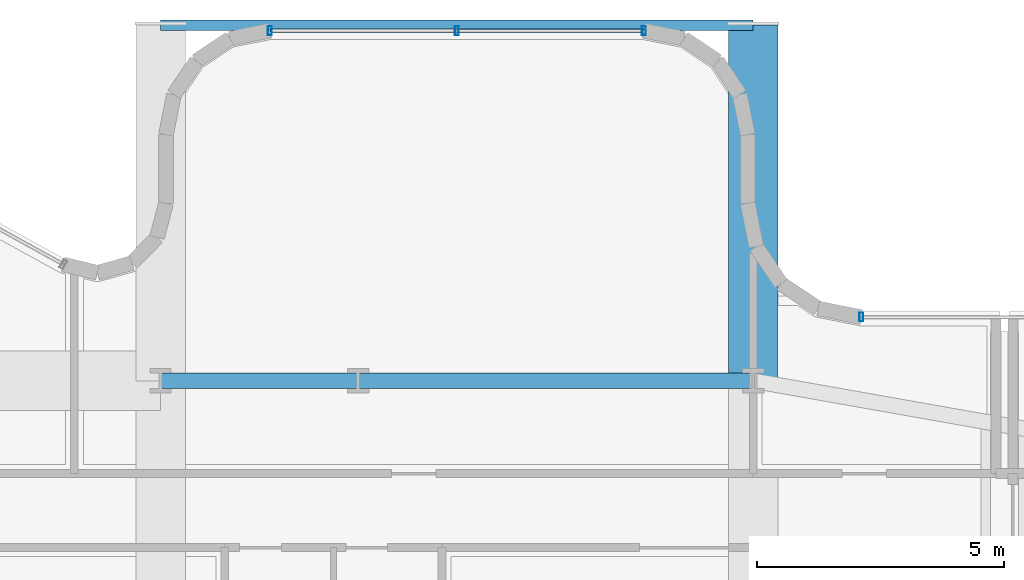
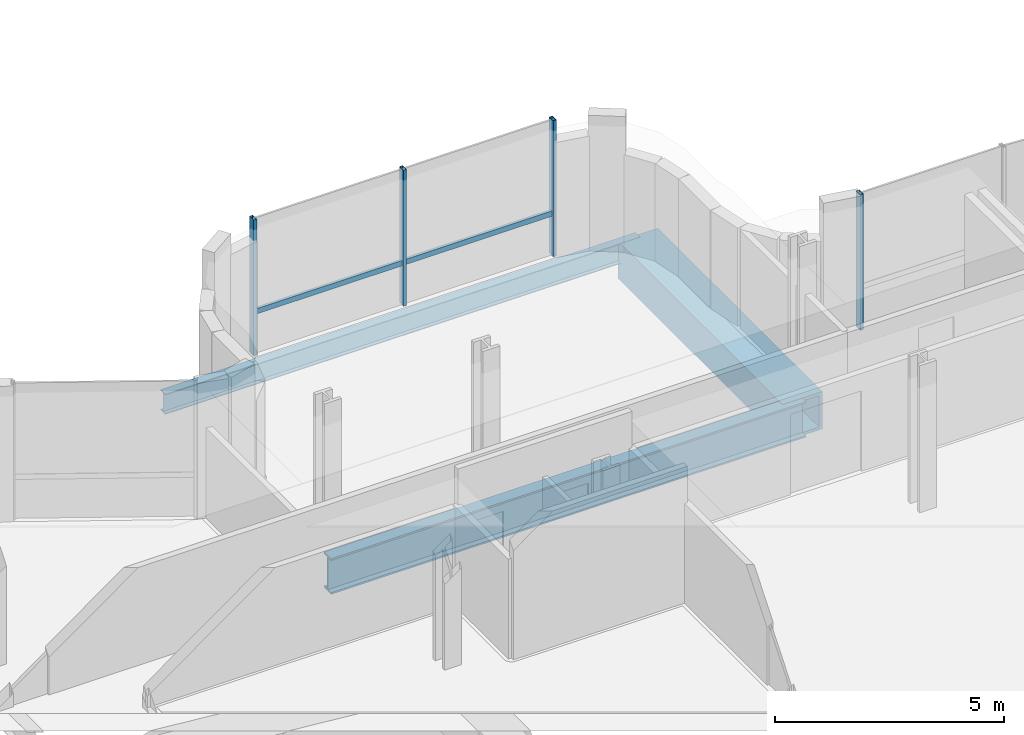
# One storey, part 22 of 37: 5 members, 3 beams, 2 elements without a shape of their own.
"""IFC4 building model written with IfcOpenShell, lengths in metres."""

from ifc_helpers import new_model, si_unit, direction, frame, origin, origin_2d, place, context, subcontext, project, spatial, hollow_rectangle, i_section, extrude, source, transform, mapped, material, material_profile, profile_set, type_object, element, aggregate, save


model = new_model("IFC4")

# Units and contexts
model_context = context("Model", 3, precision=1e-05, world=origin(), true_north=direction((0.0, 1.0)))
body_context = subcontext(model_context, "Body", "Model", "MODEL_VIEW")
ifc_project = project(units=[si_unit("LENGTHUNIT", "METRE"), si_unit("AREAUNIT", "SQUARE_METRE"), si_unit("VOLUMEUNIT", "CUBIC_METRE"), si_unit("PLANEANGLEUNIT", "RADIAN"), si_unit("MASSUNIT", "GRAM", prefix="KILO")], contexts=[model_context])

# Site, building, storey
site_placement = place(None, origin())
site = spatial("IfcSite", under=ifc_project, at=site_placement, CompositionType="ELEMENT")
building_placement = place(site_placement, origin())
building = spatial("IfcBuilding", under=site, at=building_placement, Name="Valdorenza Pilgrim Sanctuary Tower", CompositionType="ELEMENT")
storey_placement = place(building_placement, frame((0.0, 0.0, 188.39990234375)))
storey = spatial("IfcBuildingStorey", under=building, at=storey_placement, Name="L48", CompositionType="ELEMENT", Elevation=188.39990234375)

# Beams
ifc_material_1 = material(Name="Steel ASTM A572 Grade 42", Category="steel")
ifc_material_profile_1 = material_profile(ifc_material_1, hollow_rectangle(XDim=1.0, YDim=1.0, WallThickness=0.080078125, at=origin_2d()), Name="BOX 1000x1000x80")
ifc_profile_set_1 = profile_set([ifc_material_profile_1], Name="Steel ASTM A572 Grade 42")
beam_type_1 = type_object("IfcBeamType", Name="STR-BM-PROW-CANT", PredefinedType="BEAM", material=ifc_profile_set_1)
shared_shape_1 = source(origin(), body_context, "Body", "SweptSolid", [
    extrude(hollow_rectangle(XDim=1.0, YDim=1.0, WallThickness=0.080078125, at=origin_2d()), origin(), (0.0, 0.0, 1.0), 7.199951171875),
])
beam_1_placement = place(storey_placement, frame((8.5, 14.800048828125, -0.81982421875), z_axis=(0.0, 1.0, 0.0), x_axis=(-1.0, 0.0, 0.0)))
element("IfcBeam", 1, at=beam_1_placement, inside=storey, type_object=beam_type_1, Name="L48 North Sanctuary Prow Cantilever PROW-CANT-N-E", PredefinedType="BEAM", context=body_context, shape_type="MappedRepresentation", body=[
    mapped(shared_shape_1, transform((0.0, 0.0, 0.0), x_axis=(1.0, 0.0, 0.0), y_axis=(0.0, 1.0, 0.0), z_axis=(0.0, 0.0, 1.0), scale=1.0)),
])
ifc_material_2 = material(Name="Steel ASTM A992 Grade 50", Category="steel")
ifc_material_profile_2 = material_profile(ifc_material_2, i_section(OverallWidth=0.2109375, OverallDepth=0.5390625, WebThickness=0.01171875, FlangeThickness=0.018798828125, at=origin_2d()), Name="W21X73")
ifc_profile_set_2 = profile_set([ifc_material_profile_2], Name="Steel ASTM A992 Grade 50")
beam_type_2 = type_object("IfcBeamType", Name="STR-BM-SPN-W21B", PredefinedType="SPANDREL", material=ifc_profile_set_2)
shared_shape_2 = source(origin(), body_context, "Body", "SweptSolid", [
    extrude(i_section(OverallWidth=0.2109375, OverallDepth=0.5390625, WebThickness=0.01171875, FlangeThickness=0.018798828125, at=origin_2d()), origin(), (0.0, 0.0, 1.0), 12.0),
])
beam_2_placement = place(storey_placement, frame((-3.5, 22.0, -0.58935546875), z_axis=(1.0, 0.0, 0.0), x_axis=(0.0, 1.0, 0.0)))
element("IfcBeam", 2, at=beam_2_placement, inside=storey, type_object=beam_type_2, Name="L48 North Prow Tip Spandrel PROW-TIP-N", PredefinedType="SPANDREL", context=body_context, shape_type="MappedRepresentation", body=[
    mapped(shared_shape_2, transform((0.0, 0.0, 0.0), x_axis=(1.0, 0.0, 0.0), y_axis=(0.0, 1.0, 0.0), z_axis=(0.0, 0.0, 1.0), scale=1.0)),
])
ifc_material_profile_3 = material_profile(ifc_material_2, i_section(OverallWidth=0.31005859375, OverallDepth=0.949951171875, WebThickness=0.0244140625, FlangeThickness=0.0439453125, at=origin_2d()), Name="W36X256")
ifc_profile_set_3 = profile_set([ifc_material_profile_3], Name="Steel ASTM A992 Grade 50")
beam_type_3 = type_object("IfcBeamType", Name="STR-BM-GRD-W36B", PredefinedType="BEAM", material=ifc_profile_set_3)
shared_shape_3 = source(origin(), body_context, "Body", "SweptSolid", [
    extrude(i_section(OverallWidth=0.31005859375, OverallDepth=0.949951171875, WebThickness=0.0244140625, FlangeThickness=0.0439453125, at=origin_2d()), origin(), (0.0, 0.0, 1.0), 12.0),
])
beam_3_placement = place(storey_placement, frame((-3.5, 14.800048828125, -0.794921875), z_axis=(1.0, 0.0, 0.0), x_axis=(0.0, 1.0, 0.0)))
element("IfcBeam", 3, at=beam_3_placement, inside=storey, type_object=beam_type_3, Name="L48 Portal Bridge Span Girder PRY-G2-P14", PredefinedType="BEAM", context=body_context, shape_type="MappedRepresentation", body=[
    mapped(shared_shape_3, transform((0.0, 0.0, 0.0), x_axis=(1.0, 0.0, 0.0), y_axis=(0.0, 1.0, 0.0), z_axis=(0.0, 0.0, 1.0), scale=1.0)),
])

# Curtain wall, members
ifc_material_3 = material(Name="Curtain-wall IGU glazing", Category="glass")
curtain_wall_type = type_object("IfcCurtainWallType", Name="CW-SYS-05", PredefinedType="NOTDEFINED", material=ifc_material_3)
curtain_wall_1_placement = place(storey_placement, origin())
curtain_wall_1 = element("IfcCurtainWall", 4, at=curtain_wall_1_placement, inside=storey, type_object=curtain_wall_type, Name="L48 Curtain Wall CW-L48-1-21", PredefinedType="NOTDEFINED")
ifc_material_4 = material(Name="Anodised aluminium AW-6060", Category="aluminium")
ifc_material_profile_4 = material_profile(ifc_material_4, hollow_rectangle(XDim=0.070068359375, YDim=0.139892578125, WallThickness=0.00341796875, at=origin_2d()), Name="ALU-T 140x70x3.5")
ifc_profile_set_4 = profile_set([ifc_material_profile_4], Name="Anodised aluminium AW-6060")
member_type_1 = type_object("IfcMemberType", Name="CW-TRN-05", PredefinedType="USERDEFINED", material=ifc_profile_set_4)
shared_shape_4 = source(origin(), body_context, "Body", "SweptSolid", [
    extrude(hollow_rectangle(XDim=0.070068359375, YDim=0.139892578125, WallThickness=0.00341796875, at=origin_2d()), origin(), (0.0, 0.0, 1.0), 7.5703125),
])
member_1_placement = place(storey_placement, frame((-1.28515625, 21.889892578125, 1.1201171875), z_axis=(1.0, 0.0, 0.0), x_axis=(0.0, 1.0, 0.0)))
member_1 = element("IfcMember", 5, at=member_1_placement, type_object=member_type_1, Name="CW-L48-1-21 Transom 1", ObjectType="TRANSOM", PredefinedType="USERDEFINED", context=body_context, shape_type="MappedRepresentation", body=[
    mapped(shared_shape_4, transform((0.0, 0.0, 0.0), x_axis=(1.0, 0.0, 0.0), y_axis=(0.0, 1.0, 0.0), z_axis=(0.0, 0.0, 1.0), scale=1.0)),
])
ifc_material_profile_5 = material_profile(ifc_material_4, hollow_rectangle(XDim=0.080078125, YDim=0.179931640625, WallThickness=0.00439453125, at=origin_2d()), Name="ALU-M 180x80x4.5")
ifc_profile_set_5 = profile_set([ifc_material_profile_5], Name="Anodised aluminium AW-6060")
member_type_2 = type_object("IfcMemberType", Name="CW-MUL-05", PredefinedType="MULLION", material=ifc_profile_set_5)
shared_shape_5 = source(origin(), body_context, "Body", "SweptSolid", [
    extrude(hollow_rectangle(XDim=0.080078125, YDim=0.179931640625, WallThickness=0.00439453125, at=origin_2d()), origin(), (0.0, 0.0, 1.0), 3.630126953125),
])
member_2_placement = place(storey_placement, frame((-1.28515625, 21.889892578125, 0.0), z_axis=(0.0, 0.0, 1.0), x_axis=(1.0, 0.0, 0.0)))
member_2 = element("IfcMember", 6, at=member_2_placement, type_object=member_type_2, Name="CW-L48-1-21 Mullion 1", PredefinedType="MULLION", context=body_context, shape_type="MappedRepresentation", body=[
    mapped(shared_shape_5, transform((0.0, 0.0, 0.0), x_axis=(1.0, 0.0, 0.0), y_axis=(0.0, 1.0, 0.0), z_axis=(0.0, 0.0, 1.0), scale=1.0)),
])
member_3_placement = place(storey_placement, frame((2.5, 21.889892578125, 0.0), z_axis=(0.0, 0.0, 1.0), x_axis=(1.0, 0.0, 0.0)))
member_3 = element("IfcMember", 7, at=member_3_placement, type_object=member_type_2, Name="CW-L48-1-21 Mullion 2", PredefinedType="MULLION", context=body_context, shape_type="MappedRepresentation", body=[
    mapped(shared_shape_5, transform((0.0, 0.0, 0.0), x_axis=(1.0, 0.0, 0.0), y_axis=(0.0, 1.0, 0.0), z_axis=(0.0, 0.0, 1.0), scale=1.0)),
])
member_4_placement = place(storey_placement, frame((6.28515625, 21.889892578125, 0.0), z_axis=(0.0, 0.0, 1.0), x_axis=(1.0, 0.0, 0.0)))
member_4 = element("IfcMember", 8, at=member_4_placement, type_object=member_type_2, Name="CW-L48-1-21 Mullion 3", PredefinedType="MULLION", context=body_context, shape_type="MappedRepresentation", body=[
    mapped(shared_shape_5, transform((0.0, 0.0, 0.0), x_axis=(1.0, 0.0, 0.0), y_axis=(0.0, 1.0, 0.0), z_axis=(0.0, 0.0, 1.0), scale=1.0)),
])
aggregate(curtain_wall_1, [member_2, member_3, member_4, member_1])

# Curtain wall, member
curtain_wall_2_placement = place(storey_placement, origin())
curtain_wall_2 = element("IfcCurtainWall", 9, at=curtain_wall_2_placement, inside=storey, type_object=curtain_wall_type, Name="L48 Curtain Wall CW-L48-1-31", PredefinedType="NOTDEFINED")
member_5_placement = place(storey_placement, frame((10.693115234375, 16.090087890625, 0.0), z_axis=(0.0, 0.0, 1.0), x_axis=(1.0, 0.0, 0.0)))
member_5 = element("IfcMember", 10, at=member_5_placement, type_object=member_type_2, Name="CW-L48-1-31 Mullion 1", PredefinedType="MULLION", context=body_context, shape_type="MappedRepresentation", body=[
    mapped(shared_shape_5, transform((0.0, 0.0, 0.0), x_axis=(1.0, 0.0, 0.0), y_axis=(0.0, 1.0, 0.0), z_axis=(0.0, 0.0, 1.0), scale=1.0)),
])
aggregate(curtain_wall_2, [member_5])

save(model, "model.ifc")
